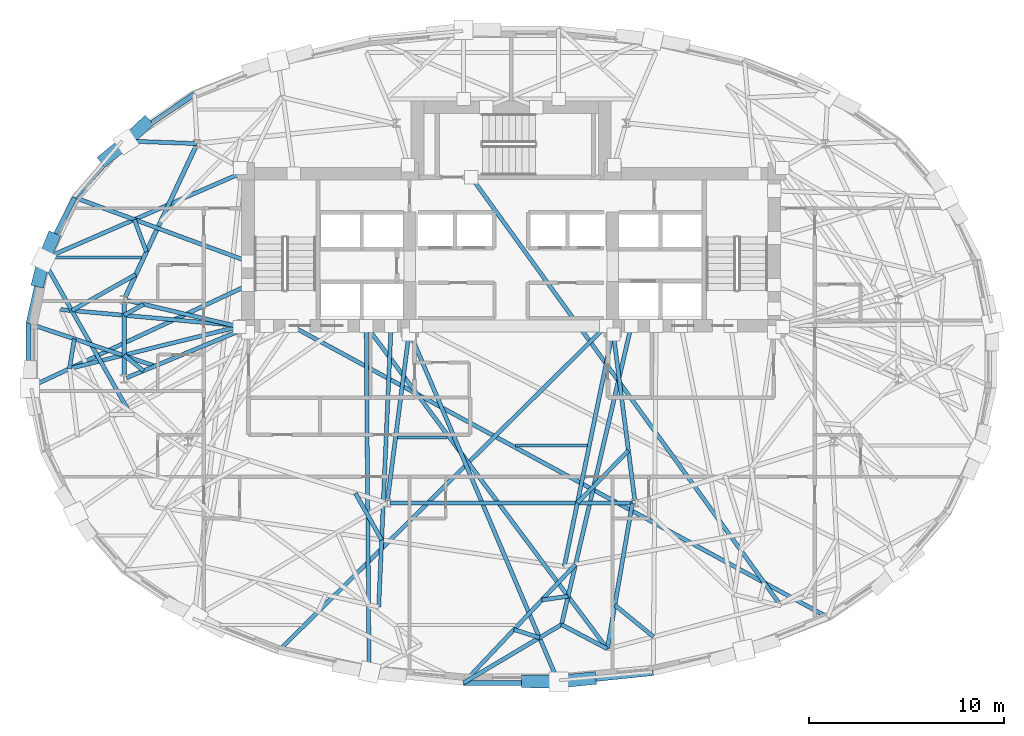
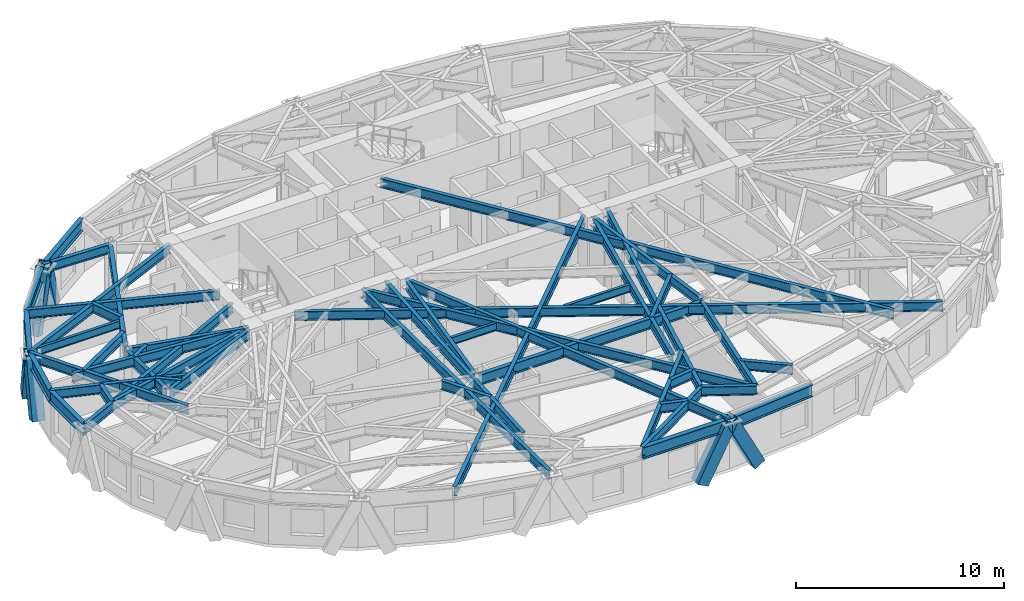
# One storey, part 2 of 14: 48 beams, 6 members.
"""IFC4 building model written with IfcOpenShell, lengths in metres."""

from ifc_helpers import new_model, si_unit, direction, frame, origin, origin_2d, place, context, subcontext, project, spatial, hollow_rectangle, i_section, extrude, material, material_profile, profile_set, type_object, element, save


model = new_model("IFC4")

# Units and contexts
model_context = context("Model", 3, precision=1e-05, world=origin(), true_north=direction((0.0, 1.0)))
body_context = subcontext(model_context, "Body", "Model", "MODEL_VIEW")
ifc_project = project(units=[si_unit("LENGTHUNIT", "METRE"), si_unit("AREAUNIT", "SQUARE_METRE"), si_unit("VOLUMEUNIT", "CUBIC_METRE"), si_unit("PLANEANGLEUNIT", "RADIAN"), si_unit("MASSUNIT", "GRAM", prefix="KILO")], contexts=[model_context])

# Site, building, storey
site_placement = place(None, origin())
site = spatial("IfcSite", under=ifc_project, at=site_placement, CompositionType="ELEMENT")
building_placement = place(site_placement, origin())
building = spatial("IfcBuilding", under=site, at=building_placement, Name="Keldmark Tower", CompositionType="ELEMENT")
storey_placement = place(building_placement, frame((0.0, 0.0, 153.39990234375)))
storey = spatial("IfcBuildingStorey", under=building, at=storey_placement, Name="L41", CompositionType="ELEMENT", Elevation=153.39990234375)

# Beams
ifc_material_1 = material(Name="Steel ASTM A992 Grade 50", Category="steel")
ifc_material_profile_1 = material_profile(ifc_material_1, i_section(OverallWidth=0.153076171875, OverallDepth=0.455078125, WebThickness=0.008056640625, FlangeThickness=0.01318359375, at=origin_2d()), Name="W18X40")
ifc_profile_set_1 = profile_set([ifc_material_profile_1], Name="Steel ASTM A992 Grade 50")
beam_type_1 = type_object("IfcBeamType", Name="Composite Floor Joist W18X40", PredefinedType="JOIST", material=ifc_profile_set_1)
beam_1_placement = place(storey_placement, frame((-5.8212890625, -4.179931640625, 2.79248046875), z_axis=(1.0, 0.0, 0.0), x_axis=(0.0, 1.0, 0.0)))
element("IfcBeam", 1, at=beam_1_placement, inside=storey, type_object=beam_type_1, Name="L41 Composite Floor Joist J04", PredefinedType="JOIST", context=body_context, shape_type="SweptSolid", body=[
    extrude(i_section(OverallWidth=0.153076171875, OverallDepth=0.455078125, WebThickness=0.008056640625, FlangeThickness=0.01318359375, at=origin_2d()), origin(), (0.0, 0.0, 1.0), 2.53515625),
])
beam_2_placement = place(storey_placement, frame((0.231689453125, -4.60009765625, 2.79248046875), z_axis=(1.0, 0.0, 0.0), x_axis=(0.0, 1.0, 0.0)))
element("IfcBeam", 2, at=beam_2_placement, inside=storey, type_object=beam_type_1, Name="L41 Composite Floor Joist J05", PredefinedType="JOIST", context=body_context, shape_type="SweptSolid", body=[
    extrude(i_section(OverallWidth=0.153076171875, OverallDepth=0.455078125, WebThickness=0.008056640625, FlangeThickness=0.01318359375, at=origin_2d()), origin(), (0.0, 0.0, 1.0), 3.671630859375),
])
beam_3_placement = place(storey_placement, frame((-23.487548828125, 5.0400390625, 2.79248046875), z_axis=(1.0, 0.0, 0.0), x_axis=(0.0, 1.0, 0.0)))
element("IfcBeam", 3, at=beam_3_placement, inside=storey, type_object=beam_type_1, Name="L41 Composite Floor Joist J07", PredefinedType="JOIST", context=body_context, shape_type="SweptSolid", body=[
    extrude(i_section(OverallWidth=0.153076171875, OverallDepth=0.455078125, WebThickness=0.008056640625, FlangeThickness=0.01318359375, at=origin_2d()), origin(), (0.0, 0.0, 1.0), 4.559814453125),
])

# Members
ifc_material_2 = material(Name="Steel ASTM A572 Grade 50", Category="steel")
ifc_material_profile_2 = material_profile(ifc_material_2, hollow_rectangle(XDim=0.64990234375, YDim=0.64990234375, WallThickness=0.0400390625, at=origin_2d()), Name="BOX650X650X40")
ifc_profile_set_2 = profile_set([ifc_material_profile_2], Name="Steel ASTM A572 Grade 50")
member_type = type_object("IfcMemberType", Name="Diagrid Zone 3 Brace BOX650X650X40", PredefinedType="BRACE", material=ifc_profile_set_2)
member_1_placement = place(storey_placement, frame((-18.742919921875, 11.875, -0.260009765625), z_axis=(-0.286746084884, -0.269201798789, 0.919405826788), x_axis=(0.684451580802, -0.729058319709, 0.0)))
element("IfcMember", 4, at=member_1_placement, inside=storey, type_object=member_type, Name="L41 Perimeter Diagrid Brace 06B", PredefinedType="BRACE", context=body_context, shape_type="SweptSolid", body=[
    extrude(hollow_rectangle(XDim=0.64990234375, YDim=0.64990234375, WallThickness=0.0400390625, at=origin_2d()), origin(), (0.0, 0.0, 1.0), 3.437255859375),
])
member_2_placement = place(storey_placement, frame((-20.77490234375, 10.089111328125, -0.260009765625), z_axis=(0.306332122506, 0.25236945, 0.917861804101), x_axis=(-0.635851274984, 0.771811606612, 0.0)))
element("IfcMember", 5, at=member_2_placement, inside=storey, type_object=member_type, Name="L41 Perimeter Diagrid Brace 07A", PredefinedType="BRACE", context=body_context, shape_type="SweptSolid", body=[
    extrude(hollow_rectangle(XDim=0.64990234375, YDim=0.64990234375, WallThickness=0.0400390625, at=origin_2d()), origin(), (0.0, 0.0, 1.0), 3.44287109375),
])
member_3_placement = place(storey_placement, frame((-23.48388671875, 5.9873046875, -0.260009765625), z_axis=(-0.132766233641, -0.321521719111, 0.93754835147), x_axis=(0.924298157408, -0.381671214807, 0.0)))
element("IfcMember", 6, at=member_3_placement, inside=storey, type_object=member_type, Name="L41 Perimeter Diagrid Brace 07B", PredefinedType="BRACE", context=body_context, shape_type="SweptSolid", body=[
    extrude(hollow_rectangle(XDim=0.64990234375, YDim=0.64990234375, WallThickness=0.0400390625, at=origin_2d()), origin(), (0.0, 0.0, 1.0), 3.37060546875),
])
member_4_placement = place(storey_placement, frame((-24.20751953125, 3.828857421875, -0.260009765625), z_axis=(0.08365843778, 0.323712284049, 0.942449798633), x_axis=(-0.968190583695, 0.250213895786, 0.0)))
element("IfcMember", 7, at=member_4_placement, inside=storey, type_object=member_type, Name="L41 Perimeter Diagrid Brace 08A", PredefinedType="BRACE", context=body_context, shape_type="SweptSolid", body=[
    extrude(hollow_rectangle(XDim=0.64990234375, YDim=0.64990234375, WallThickness=0.0400390625, at=origin_2d()), origin(), (0.0, 0.0, 1.0), 3.35302734375),
])
member_5_placement = place(storey_placement, frame((0.81689453125, -16.68212890625, -0.260009765625), z_axis=(0.457022303515, -0.004329033998, 0.889444699548), x_axis=(0.009471834896, 0.999955141166, 0.0)))
element("IfcMember", 8, at=member_5_placement, inside=storey, type_object=member_type, Name="L41 Perimeter Diagrid Brace 12B", PredefinedType="BRACE", context=body_context, shape_type="SweptSolid", body=[
    extrude(hollow_rectangle(XDim=0.64990234375, YDim=0.64990234375, WallThickness=0.0400390625, at=origin_2d()), origin(), (0.0, 0.0, 1.0), 3.552978515625),
])
member_6_placement = place(storey_placement, frame((4.047607421875, -16.53515625, -0.260009765625), z_axis=(-0.455407992889, -0.045678177266, 0.889110265453), x_axis=(0.099800895841, -0.995007427706, 0.0)))
element("IfcMember", 9, at=member_6_placement, inside=storey, type_object=member_type, Name="L41 Perimeter Diagrid Brace 13A", PredefinedType="BRACE", context=body_context, shape_type="SweptSolid", body=[
    extrude(hollow_rectangle(XDim=0.64990234375, YDim=0.64990234375, WallThickness=0.0400390625, at=origin_2d()), origin(), (0.0, 0.0, 1.0), 3.55419921875),
])

# Beams
ifc_material_3 = material(Name="Steel ASTM A992 Grade 50", Category="steel")
ifc_material_profile_3 = material_profile(ifc_material_3, i_section(OverallWidth=0.22900390625, OverallDepth=0.612060546875, WebThickness=0.011962890625, FlangeThickness=0.01953125, at=origin_2d()), Name="W24X84")
ifc_profile_set_3 = profile_set([ifc_material_profile_3], Name="Steel ASTM A992 Grade 50")
beam_type_2 = type_object("IfcBeamType", Name="Primary Floor Girder W24X84", PredefinedType="BEAM", material=ifc_profile_set_3)
beam_4_placement = place(storey_placement, frame((-16.140869140625, 10.734130859375, 2.714111328125), z_axis=(-0.424526823774, -0.905415360979, 0.0), x_axis=(0.905415360979, -0.424526823774, 0.0)))
element("IfcBeam", 10, at=beam_4_placement, inside=storey, type_object=beam_type_2, Name="L41 Floor Ring Girder FG-R05", PredefinedType="BEAM", context=body_context, shape_type="SweptSolid", body=[
    extrude(i_section(OverallWidth=0.22900390625, OverallDepth=0.612060546875, WebThickness=0.011962890625, FlangeThickness=0.01953125, at=origin_2d()), origin(), (0.0, 0.0, 1.0), 8.54638671875),
])
beam_5_placement = place(storey_placement, frame((-19.828369140625, 2.729248046875, 2.714111328125), z_axis=(0.0, -1.0, 0.0), x_axis=(1.0, 0.0, 0.0)))
element("IfcBeam", 11, at=beam_5_placement, inside=storey, type_object=beam_type_2, Name="L41 Floor Ring Girder FG-R06", PredefinedType="BEAM", context=body_context, shape_type="SweptSolid", body=[
    extrude(i_section(OverallWidth=0.22900390625, OverallDepth=0.612060546875, WebThickness=0.011962890625, FlangeThickness=0.01953125, at=origin_2d()), origin(), (0.0, 0.0, 1.0), 3.778564453125),
])
beam_6_placement = place(storey_placement, frame((-6.211181640625, -7.546142578125, 2.714111328125), z_axis=(1.0, 0.0, 0.0), x_axis=(0.0, 1.0, 0.0)))
element("IfcBeam", 12, at=beam_6_placement, inside=storey, type_object=beam_type_2, Name="L41 Floor Ring Girder FG-R09", PredefinedType="BEAM", context=body_context, shape_type="SweptSolid", body=[
    extrude(i_section(OverallWidth=0.22900390625, OverallDepth=0.612060546875, WebThickness=0.011962890625, FlangeThickness=0.01953125, at=origin_2d()), origin(), (0.0, 0.0, 1.0), 12.42236328125),
])
ifc_material_4 = material(Name="Steel ASTM A992 Grade 50", Category="steel")
ifc_material_profile_4 = material_profile(ifc_material_4, i_section(OverallWidth=0.2099609375, OverallDepth=0.537109375, WebThickness=0.010986328125, FlangeThickness=0.017333984375, at=origin_2d()), Name="W21X68")
ifc_profile_set_4 = profile_set([ifc_material_profile_4], Name="Steel ASTM A992 Grade 50")
beam_type_3 = type_object("IfcBeamType", Name="Radial Tie Girder W21X68", PredefinedType="BEAM", material=ifc_profile_set_4)
beam_7_placement = place(storey_placement, frame((-19.692138671875, 2.837158203125, 2.751708984375), z_axis=(0.973280062348, -0.229621253887, 0.0), x_axis=(0.229621253887, 0.973280062348, 0.0)))
element("IfcBeam", 13, at=beam_7_placement, inside=storey, type_object=beam_type_3, Name="L41 Floor Radial Girder FG-C06", PredefinedType="BEAM", context=body_context, shape_type="SweptSolid", body=[
    extrude(i_section(OverallWidth=0.2099609375, OverallDepth=0.537109375, WebThickness=0.010986328125, FlangeThickness=0.017333984375, at=origin_2d()), origin(), (0.0, 0.0, 1.0), 5.939208984375),
])
beam_8_placement = place(storey_placement, frame((-19.69921875, -1.135498046875, 2.751708984375), z_axis=(0.923393794893, 0.383854008124, 0.0), x_axis=(-0.383854008124, 0.923393794893, 0.0)))
element("IfcBeam", 14, at=beam_8_placement, inside=storey, type_object=beam_type_3, Name="L41 Floor Radial Girder FG-C07", PredefinedType="BEAM", context=body_context, shape_type="SweptSolid", body=[
    extrude(i_section(OverallWidth=0.2099609375, OverallDepth=0.537109375, WebThickness=0.010986328125, FlangeThickness=0.017333984375, at=origin_2d()), origin(), (0.0, 0.0, 1.0), 6.28515625),
])
for number, where, z_axis, x_axis, name in (
    (15, (-6.333251953125, -7.4072265625, 2.751708984375), (0.127635577416, 0.991821132754, 0.0), (-0.991821132754, 0.127635577416, 0.0), "L41 Floor Radial Girder FG-C09"),
    (16, (6.333251953125, -7.4072265625, 2.751708984375), (-0.127635577416, 0.991821132754, 0.0), (-0.991821132754, -0.127635577416, 0.0), "L41 Floor Radial Girder FG-C10"),
):
    element("IfcBeam", number, at=place(storey_placement, frame(where, z_axis=z_axis, x_axis=x_axis)), inside=storey, type_object=beam_type_3, Name=name, PredefinedType="BEAM", context=body_context, shape_type="SweptSolid", body=[
        extrude(i_section(OverallWidth=0.2099609375, OverallDepth=0.537109375, WebThickness=0.010986328125, FlangeThickness=0.017333984375, at=origin_2d()), origin(), (0.0, 0.0, 1.0), 8.559814453125),
    ])
beam_9_placement = place(storey_placement, frame((-18.82861328125, -0.773681640625, 2.751708984375), z_axis=(-0.779009418929, 0.62701222095, 0.0), x_axis=(-0.62701222095, -0.779009418929, 0.0)))
element("IfcBeam", 17, at=beam_9_placement, inside=storey, type_object=beam_type_3, Name="L41 Framing Pin Header PH-001", PredefinedType="BEAM", context=body_context, shape_type="SweptSolid", body=[
    extrude(i_section(OverallWidth=0.2099609375, OverallDepth=0.537109375, WebThickness=0.010986328125, FlangeThickness=0.017333984375, at=origin_2d()), origin(), (0.0, 0.0, 1.0), 1.283447265625),
])
beam_10_placement = place(storey_placement, frame((-13.800048828125, 1.52490234375, 2.751708984375), z_axis=(-0.970631966054, -0.240569296615, 0.0), x_axis=(0.240569296615, -0.970631966054, 0.0)))
element("IfcBeam", 18, at=beam_10_placement, inside=storey, type_object=beam_type_3, Name="L41 Sub-Ring Step Girder STP1-M07", PredefinedType="BEAM", context=body_context, shape_type="SweptSolid", body=[
    extrude(i_section(OverallWidth=0.2099609375, OverallDepth=0.537109375, WebThickness=0.010986328125, FlangeThickness=0.017333984375, at=origin_2d()), origin(), (0.0, 0.0, 1.0), 9.087890625),
])
beam_11_placement = place(storey_placement, frame((-18.824951171875, 2.632568359375, 2.751708984375), z_axis=(-0.871926584484, -0.489636631871, 0.0), x_axis=(0.489636631871, -0.871926584484, 0.0)))
element("IfcBeam", 19, at=beam_11_placement, inside=storey, type_object=beam_type_3, Name="L41 Framing Pin Header PH-005", PredefinedType="BEAM", context=body_context, shape_type="SweptSolid", body=[
    extrude(i_section(OverallWidth=0.2099609375, OverallDepth=0.537109375, WebThickness=0.010986328125, FlangeThickness=0.017333984375, at=origin_2d()), origin(), (0.0, 0.0, 1.0), 1.15087890625),
])
beam_12_placement = place(storey_placement, frame((-13.800048828125, 1.52490234375, 2.751708984375), z_axis=(-0.995951446518, 0.089892803825, 0.0), x_axis=(-0.089892803825, -0.995951446518, 0.0)))
element("IfcBeam", 20, at=beam_12_placement, inside=storey, type_object=beam_type_3, Name="L41 Sub-Ring Step Girder STP2-M07", PredefinedType="BEAM", context=body_context, shape_type="SweptSolid", body=[
    extrude(i_section(OverallWidth=0.2099609375, OverallDepth=0.537109375, WebThickness=0.010986328125, FlangeThickness=0.017333984375, at=origin_2d()), origin(), (0.0, 0.0, 1.0), 9.312744140625),
])
beam_13_placement = place(storey_placement, frame((6.005615234375, -4.8603515625, 2.751708984375), z_axis=(-0.697298872217, -0.716780498343, 0.0), x_axis=(0.716780498343, -0.697298872217, 0.0)))
element("IfcBeam", 21, at=beam_13_placement, inside=storey, type_object=beam_type_3, Name="L41 Framing Pin Header PH-007", PredefinedType="BEAM", context=body_context, shape_type="SweptSolid", body=[
    extrude(i_section(OverallWidth=0.2099609375, OverallDepth=0.537109375, WebThickness=0.010986328125, FlangeThickness=0.017333984375, at=origin_2d()), origin(), (0.0, 0.0, 1.0), 3.7470703125),
])
beam_14_placement = place(storey_placement, frame((5.199951171875, 1.199951171875, 2.751708984375), z_axis=(-0.202355816721, -0.979312066422, 0.0), x_axis=(0.979312066422, -0.202355816721, 0.0)))
element("IfcBeam", 22, at=beam_14_placement, inside=storey, type_object=beam_type_3, Name="L41 Sub-Ring Step Girder STP2-M10", PredefinedType="BEAM", context=body_context, shape_type="SweptSolid", body=[
    extrude(i_section(OverallWidth=0.2099609375, OverallDepth=0.537109375, WebThickness=0.010986328125, FlangeThickness=0.017333984375, at=origin_2d()), origin(), (0.0, 0.0, 1.0), 12.24951171875),
])
beam_15_placement = place(storey_placement, frame((-16.08154296875, 10.861083984375, 2.751708984375), z_axis=(-0.999329537276, 0.036612510542, 0.0), x_axis=(-0.036612510542, -0.999329537276, 0.0)))
element("IfcBeam", 23, at=beam_15_placement, inside=storey, type_object=beam_type_3, Name="L41 Perimeter Column Bracket RT-13", PredefinedType="BEAM", context=body_context, shape_type="SweptSolid", body=[
    extrude(i_section(OverallWidth=0.2099609375, OverallDepth=0.537109375, WebThickness=0.010986328125, FlangeThickness=0.017333984375, at=origin_2d()), origin(), (0.0, 0.0, 1.0), 3.6875),
])
beam_16_placement = place(storey_placement, frame((-19.224853515625, 4.15673828125, 2.751708984375), z_axis=(-0.871195622183, -0.49093603238, 0.0), x_axis=(0.49093603238, -0.871195622183, 0.0)))
element("IfcBeam", 24, at=beam_16_placement, inside=storey, type_object=beam_type_3, Name="L41 Framing Pin Header PH-015", PredefinedType="BEAM", context=body_context, shape_type="SweptSolid", body=[
    extrude(i_section(OverallWidth=0.2099609375, OverallDepth=0.537109375, WebThickness=0.010986328125, FlangeThickness=0.017333984375, at=origin_2d()), origin(), (0.0, 0.0, 1.0), 3.760986328125),
])
beam_17_placement = place(storey_placement, frame((-19.612060546875, -2.79736328125, 2.751708984375), z_axis=(-0.492365237686, 0.870388690597, 0.0), x_axis=(-0.870388690597, -0.492365237686, 0.0)))
element("IfcBeam", 25, at=beam_17_placement, inside=storey, type_object=beam_type_3, Name="L41 Perimeter Radial Tie Girder RT-15", PredefinedType="BEAM", context=body_context, shape_type="SweptSolid", body=[
    extrude(i_section(OverallWidth=0.2099609375, OverallDepth=0.537109375, WebThickness=0.010986328125, FlangeThickness=0.017333984375, at=origin_2d()), origin(), (0.0, 0.0, 1.0), 8.880126953125),
])
beam_18_placement = place(storey_placement, frame((-22.62109375, -0.661376953125, 2.751708984375), z_axis=(0.159900049578, 0.987133209929, 0.0), x_axis=(-0.987133209929, 0.159900049578, 0.0)))
element("IfcBeam", 26, at=beam_18_placement, inside=storey, type_object=beam_type_3, Name="L41 Framing Pin Header PH-016", PredefinedType="BEAM", context=body_context, shape_type="SweptSolid", body=[
    extrude(i_section(OverallWidth=0.2099609375, OverallDepth=0.537109375, WebThickness=0.010986328125, FlangeThickness=0.017333984375, at=origin_2d()), origin(), (0.0, 0.0, 1.0), 1.54052734375),
])
beam_19_placement = place(storey_placement, frame((-18.248291015625, -0.5322265625, 2.751708984375), z_axis=(-0.947580362775, 0.319517536424, 0.0), x_axis=(-0.319517536424, -0.947580362775, 0.0)))
element("IfcBeam", 27, at=beam_19_placement, inside=storey, type_object=beam_type_3, Name="L41 Perimeter Radial Tie Girder RT-16", PredefinedType="BEAM", context=body_context, shape_type="SweptSolid", body=[
    extrude(i_section(OverallWidth=0.2099609375, OverallDepth=0.537109375, WebThickness=0.010986328125, FlangeThickness=0.017333984375, at=origin_2d()), origin(), (0.0, 0.0, 1.0), 6.8310546875),
])
beam_20_placement = place(storey_placement, frame((-13.47509765625, 3.6142578125, 2.751708984375), z_axis=(-0.905674164018, -0.423974419783, 0.0), x_axis=(0.423974419783, -0.905674164018, 0.0)))
element("IfcBeam", 28, at=beam_20_placement, inside=storey, type_object=beam_type_3, Name="L41 Perimeter Radial Tie Girder RT-17", PredefinedType="BEAM", context=body_context, shape_type="SweptSolid", body=[
    extrude(i_section(OverallWidth=0.2099609375, OverallDepth=0.537109375, WebThickness=0.010986328125, FlangeThickness=0.017333984375, at=origin_2d()), origin(), (0.0, 0.0, 1.0), 12.41748046875),
])
beam_21_placement = place(storey_placement, frame((-7.97412109375, -7.045166015625, 2.751708984375), z_axis=(0.48915353486, -0.872197695098, 0.0), x_axis=(0.872197695098, 0.48915353486, 0.0)))
element("IfcBeam", 29, at=beam_21_placement, inside=storey, type_object=beam_type_3, Name="L41 Framing Pin Header PH-022", PredefinedType="BEAM", context=body_context, shape_type="SweptSolid", body=[
    extrude(i_section(OverallWidth=0.2099609375, OverallDepth=0.537109375, WebThickness=0.010986328125, FlangeThickness=0.017333984375, at=origin_2d()), origin(), (0.0, 0.0, 1.0), 2.74267578125),
])
beam_22_placement = place(storey_placement, frame((-6.14990234375, 1.52490234375, 2.751708984375), z_axis=(-0.043979044783, -0.999032453737, 0.0), x_axis=(0.999032453737, -0.043979044783, 0.0)))
element("IfcBeam", 30, at=beam_22_placement, inside=storey, type_object=beam_type_3, Name="L41 Intermediate Radial Step Girder RT-23M", PredefinedType="BEAM", context=body_context, shape_type="SweptSolid", body=[
    extrude(i_section(OverallWidth=0.2099609375, OverallDepth=0.537109375, WebThickness=0.010986328125, FlangeThickness=0.017333984375, at=origin_2d()), origin(), (0.0, 0.0, 1.0), 14.4111328125),
])
beam_23_placement = place(storey_placement, frame((-7.425048828125, 1.52490234375, 2.751708984375), z_axis=(0.008401911069, -0.999964703322, 0.0), x_axis=(0.999964703322, 0.008401911069, 0.0)))
element("IfcBeam", 31, at=beam_23_placement, inside=storey, type_object=beam_type_3, Name="L41 Perimeter Radial Tie Girder RT-23", PredefinedType="BEAM", context=body_context, shape_type="SweptSolid", body=[
    extrude(i_section(OverallWidth=0.2099609375, OverallDepth=0.537109375, WebThickness=0.010986328125, FlangeThickness=0.017333984375, at=origin_2d()), origin(), (0.0, 0.0, 1.0), 17.783447265625),
])
beam_24_placement = place(storey_placement, frame((-2.434814453125, -16.75732421875, 2.751708984375), z_axis=(0.686862262165, 0.726787611901, 0.0), x_axis=(-0.726787611901, 0.686862262165, 0.0)))
element("IfcBeam", 32, at=beam_24_placement, inside=storey, type_object=beam_type_3, Name="L41 Framing Pin Header PH-025", PredefinedType="BEAM", context=body_context, shape_type="SweptSolid", body=[
    extrude(i_section(OverallWidth=0.2099609375, OverallDepth=0.537109375, WebThickness=0.010986328125, FlangeThickness=0.017333984375, at=origin_2d()), origin(), (0.0, 0.0, 1.0), 8.346923828125),
])
beam_25_placement = place(storey_placement, frame((6.14990234375, 1.52490234375, 2.751708984375), z_axis=(-0.227315571068, -0.973821149467, 0.0), x_axis=(0.973821149467, -0.227315571068, 0.0)))
element("IfcBeam", 33, at=beam_25_placement, inside=storey, type_object=beam_type_3, Name="L41 Intermediate Radial Step Girder RT-25M", PredefinedType="BEAM", context=body_context, shape_type="SweptSolid", body=[
    extrude(i_section(OverallWidth=0.2099609375, OverallDepth=0.537109375, WebThickness=0.010986328125, FlangeThickness=0.017333984375, at=origin_2d()), origin(), (0.0, 0.0, 1.0), 15.712890625),
])
beam_26_placement = place(storey_placement, frame((-2.434814453125, -16.75732421875, 2.751708984375), z_axis=(0.859532408995, 0.51108124392, 0.0), x_axis=(-0.51108124392, 0.859532408995, 0.0)))
element("IfcBeam", 34, at=beam_26_placement, inside=storey, type_object=beam_type_3, Name="L41 Local Collector Chord RT-25C", PredefinedType="BEAM", context=body_context, shape_type="SweptSolid", body=[
    extrude(i_section(OverallWidth=0.2099609375, OverallDepth=0.537109375, WebThickness=0.010986328125, FlangeThickness=0.017333984375, at=origin_2d()), origin(), (0.0, 0.0, 1.0), 5.832275390625),
])
beam_27_placement = place(storey_placement, frame((0.14501953125, -14.027587890625, 2.751708984375), z_axis=(0.952335299043, -0.3050532383, 0.0), x_axis=(0.3050532383, 0.952335299043, 0.0)))
element("IfcBeam", 35, at=beam_27_placement, inside=storey, type_object=beam_type_3, Name="L41 Framing Pin Header PH-026", PredefinedType="BEAM", context=body_context, shape_type="SweptSolid", body=[
    extrude(i_section(OverallWidth=0.2099609375, OverallDepth=0.537109375, WebThickness=0.010986328125, FlangeThickness=0.017333984375, at=origin_2d()), origin(), (0.0, 0.0, 1.0), 1.37255859375),
])
beam_28_placement = place(storey_placement, frame((-5.199951171875, 1.199951171875, 2.751708984375), z_axis=(0.391267542497, -0.920276974714, 0.0), x_axis=(0.920276974714, 0.391267542497, 0.0)))
element("IfcBeam", 36, at=beam_28_placement, inside=storey, type_object=beam_type_3, Name="L41 Perimeter Radial Tie Girder RT-25", PredefinedType="BEAM", context=body_context, shape_type="SweptSolid", body=[
    extrude(i_section(OverallWidth=0.2099609375, OverallDepth=0.537109375, WebThickness=0.010986328125, FlangeThickness=0.017333984375, at=origin_2d()), origin(), (0.0, 0.0, 1.0), 19.512939453125),
])
beam_29_placement = place(storey_placement, frame((1.578369140625, -12.510986328125, 2.751708984375), z_axis=(0.990529844075, 0.137297589184, 0.0), x_axis=(-0.137297589184, 0.990529844075, 0.0)))
element("IfcBeam", 37, at=beam_29_placement, inside=storey, type_object=beam_type_3, Name="L41 Framing Pin Header PH-027", PredefinedType="BEAM", context=body_context, shape_type="SweptSolid", body=[
    extrude(i_section(OverallWidth=0.2099609375, OverallDepth=0.537109375, WebThickness=0.010986328125, FlangeThickness=0.017333984375, at=origin_2d()), origin(), (0.0, 0.0, 1.0), 1.351318359375),
])
beam_30_placement = place(storey_placement, frame((-7.425048828125, 1.52490234375, 2.751708984375), z_axis=(0.598297635029, -0.801273948109, 0.0), x_axis=(0.801273948109, 0.598297635029, 0.0)))
element("IfcBeam", 38, at=beam_30_placement, inside=storey, type_object=beam_type_3, Name="L41 Intermediate Radial Step Girder RT-26M", PredefinedType="BEAM", context=body_context, shape_type="SweptSolid", body=[
    extrude(i_section(OverallWidth=0.2099609375, OverallDepth=0.537109375, WebThickness=0.010986328125, FlangeThickness=0.017333984375, at=origin_2d()), origin(), (0.0, 0.0, 1.0), 20.64501953125),
])
beam_31_placement = place(storey_placement, frame((2.578125, -13.776611328125, 2.751708984375), z_axis=(0.884203411677, -0.467102051782, 0.0), x_axis=(0.467102051782, 0.884203411677, 0.0)))
element("IfcBeam", 39, at=beam_31_placement, inside=storey, type_object=beam_type_3, Name="L41 Local Collector Chord RT-26C", PredefinedType="BEAM", context=body_context, shape_type="SweptSolid", body=[
    extrude(i_section(OverallWidth=0.2099609375, OverallDepth=0.537109375, WebThickness=0.010986328125, FlangeThickness=0.017333984375, at=origin_2d()), origin(), (0.0, 0.0, 1.0), 2.65625),
])
beam_32_placement = place(storey_placement, frame((-2.04296875, 9.139892578125, 2.751708984375), z_axis=(0.585638637201, -0.810572258727, 0.0), x_axis=(0.810572258727, 0.585638637201, 0.0)))
element("IfcBeam", 40, at=beam_32_placement, inside=storey, type_object=beam_type_3, Name="L41 Intermediate Radial Step Girder RT-28M", PredefinedType="BEAM", context=body_context, shape_type="SweptSolid", body=[
    extrude(i_section(OverallWidth=0.2099609375, OverallDepth=0.537109375, WebThickness=0.010986328125, FlangeThickness=0.017333984375, at=origin_2d()), origin(), (0.0, 0.0, 1.0), 27.0859375),
])
beam_33_placement = place(storey_placement, frame((-11.25, 1.52490234375, 2.751708984375), z_axis=(0.878714378584, -0.477347924338, 0.0), x_axis=(0.477347924338, 0.878714378584, 0.0)))
element("IfcBeam", 41, at=beam_33_placement, inside=storey, type_object=beam_type_3, Name="L41 Perimeter Radial Tie Girder RT-28", PredefinedType="BEAM", context=body_context, shape_type="SweptSolid", body=[
    extrude(i_section(OverallWidth=0.2099609375, OverallDepth=0.537109375, WebThickness=0.010986328125, FlangeThickness=0.017333984375, at=origin_2d()), origin(), (0.0, 0.0, 1.0), 31.26416015625),
])
beam_34_placement = place(storey_placement, frame((-13.60009765625, 9.449951171875, 2.751708984375), z_axis=(-0.916967889066, -0.398961013661, 0.0), x_axis=(0.398961013661, -0.916967889066, 0.0)))
element("IfcBeam", 42, at=beam_34_placement, inside=storey, type_object=beam_type_3, Name="L41 Straddling Support Chord RT-14RB", PredefinedType="BEAM", context=body_context, shape_type="SweptSolid", body=[
    extrude(i_section(OverallWidth=0.2099609375, OverallDepth=0.537109375, WebThickness=0.010986328125, FlangeThickness=0.017333984375, at=origin_2d()), origin(), (0.0, 0.0, 1.0), 11.324462890625),
])
beam_35_placement = place(storey_placement, frame((-18.6806640625, 5.3173828125, 2.751708984375), z_axis=(-0.3495615226, 0.936913412177, 0.0), x_axis=(-0.936913412177, -0.3495615226, 0.0)))
element("IfcBeam", 43, at=beam_35_placement, inside=storey, type_object=beam_type_3, Name="L41 Framing Pin Header PH-037", PredefinedType="BEAM", context=body_context, shape_type="SweptSolid", body=[
    extrude(i_section(OverallWidth=0.2099609375, OverallDepth=0.537109375, WebThickness=0.010986328125, FlangeThickness=0.017333984375, at=origin_2d()), origin(), (0.0, 0.0, 1.0), 1.764892578125),
])
beam_36_placement = place(storey_placement, frame((-13.47509765625, 4.8212890625, 2.751708984375), z_axis=(-0.938110398216, 0.346336369384, 0.0), x_axis=(-0.346336369384, -0.938110398216, 0.0)))
element("IfcBeam", 44, at=beam_36_placement, inside=storey, type_object=beam_type_3, Name="L41 Perimeter Radial Tie Girder RT-14R", PredefinedType="BEAM", context=body_context, shape_type="SweptSolid", body=[
    extrude(i_section(OverallWidth=0.2099609375, OverallDepth=0.537109375, WebThickness=0.010986328125, FlangeThickness=0.017333984375, at=origin_2d()), origin(), (0.0, 0.0, 1.0), 9.4658203125),
])
beam_37_placement = place(storey_placement, frame((4.875, 1.52490234375, 2.751708984375), z_axis=(-0.710171189462, -0.70402903467, 0.0), x_axis=(0.70402903467, -0.710171189462, 0.0)))
element("IfcBeam", 45, at=beam_37_placement, inside=storey, type_object=beam_type_3, Name="L41 Perimeter Radial Tie Girder RT-22R", PredefinedType="BEAM", context=body_context, shape_type="SweptSolid", body=[
    extrude(i_section(OverallWidth=0.2099609375, OverallDepth=0.537109375, WebThickness=0.010986328125, FlangeThickness=0.017333984375, at=origin_2d()), origin(), (0.0, 0.0, 1.0), 23.68994140625),
])
beam_38_placement = place(storey_placement, frame((4.9267578125, -15.017333984375, 2.751708984375), z_axis=(0.169431294337, 0.985542001388, 0.0), x_axis=(-0.985542001388, 0.169431294337, 0.0)))
element("IfcBeam", 46, at=beam_38_placement, inside=storey, type_object=beam_type_3, Name="L41 Straddling Support Chord RT-26RB", PredefinedType="BEAM", context=body_context, shape_type="SweptSolid", body=[
    extrude(i_section(OverallWidth=0.2099609375, OverallDepth=0.537109375, WebThickness=0.010986328125, FlangeThickness=0.017333984375, at=origin_2d()), origin(), (0.0, 0.0, 1.0), 7.580810546875),
])
beam_39_placement = place(storey_placement, frame((5.31201171875, -12.77587890625, 2.751708984375), z_axis=(0.773583035809, -0.633694947675, 0.0), x_axis=(0.633694947675, 0.773583035809, 0.0)))
element("IfcBeam", 47, at=beam_39_placement, inside=storey, type_object=beam_type_3, Name="L41 Framing Pin Header PH-039", PredefinedType="BEAM", context=body_context, shape_type="SweptSolid", body=[
    extrude(i_section(OverallWidth=0.2099609375, OverallDepth=0.537109375, WebThickness=0.010986328125, FlangeThickness=0.017333984375, at=origin_2d()), origin(), (0.0, 0.0, 1.0), 2.55859375),
])
ifc_material_5 = material(Name="Steel ASTM A992 Grade 50", Category="steel")
ifc_material_profile_5 = material_profile(ifc_material_5, i_section(OverallWidth=0.256103515625, OverallDepth=0.693115234375, WebThickness=0.014404296875, FlangeThickness=0.023681640625, at=origin_2d()), Name="W27X114")
ifc_profile_set_5 = profile_set([ifc_material_profile_5], Name="Steel ASTM A992 Grade 50")
beam_type_4 = type_object("IfcBeamType", Name="Spandrel Ring Beam W27X114", PredefinedType="SPANDREL", material=ifc_profile_set_5)
beam_40_placement = place(storey_placement, frame((-16.22216796875, 13.39892578125, 2.673583984375), z_axis=(-0.827727349007, -0.561130497929, 0.0), x_axis=(0.561130497929, -0.827727349007, 0.0)))
element("IfcBeam", 48, at=beam_40_placement, inside=storey, type_object=beam_type_4, Name="L41 Perimeter Spandrel Ring Beam SRB-12", PredefinedType="SPANDREL", context=body_context, shape_type="SweptSolid", body=[
    extrude(i_section(OverallWidth=0.256103515625, OverallDepth=0.693115234375, WebThickness=0.014404296875, FlangeThickness=0.023681640625, at=origin_2d()), origin(), (0.0, 0.0, 1.0), 4.2822265625),
])
beam_41_placement = place(storey_placement, frame((-19.7666015625, 10.99609375, 2.673583984375), z_axis=(-0.666335444554, -0.745652114147, 0.0), x_axis=(0.745652114147, -0.666335444554, 0.0)))
element("IfcBeam", 49, at=beam_41_placement, inside=storey, type_object=beam_type_4, Name="L41 Perimeter Spandrel Ring Beam SRB-13", PredefinedType="SPANDREL", context=body_context, shape_type="SweptSolid", body=[
    extrude(i_section(OverallWidth=0.256103515625, OverallDepth=0.693115234375, WebThickness=0.014404296875, FlangeThickness=0.023681640625, at=origin_2d()), origin(), (0.0, 0.0, 1.0), 3.884521484375),
])
beam_42_placement = place(storey_placement, frame((-22.35498046875, 8.099609375, 2.673583984375), z_axis=(-0.457409955052, -0.889255943483, 0.0), x_axis=(0.889255943483, -0.457409955052, 0.0)))
element("IfcBeam", 50, at=beam_42_placement, inside=storey, type_object=beam_type_4, Name="L41 Perimeter Spandrel Ring Beam SRB-14", PredefinedType="SPANDREL", context=body_context, shape_type="SweptSolid", body=[
    extrude(i_section(OverallWidth=0.256103515625, OverallDepth=0.693115234375, WebThickness=0.014404296875, FlangeThickness=0.023681640625, at=origin_2d()), origin(), (0.0, 0.0, 1.0), 3.562255859375),
])
beam_43_placement = place(storey_placement, frame((-23.984375, 4.931884765625, 2.673583984375), z_axis=(-0.219082064113, -0.975706435965, 0.0), x_axis=(0.975706435965, -0.219082064113, 0.0)))
element("IfcBeam", 51, at=beam_43_placement, inside=storey, type_object=beam_type_4, Name="L41 Perimeter Spandrel Ring Beam SRB-15", PredefinedType="SPANDREL", context=body_context, shape_type="SweptSolid", body=[
    extrude(i_section(OverallWidth=0.256103515625, OverallDepth=0.693115234375, WebThickness=0.014404296875, FlangeThickness=0.023681640625, at=origin_2d()), origin(), (0.0, 0.0, 1.0), 3.36328125),
])
beam_44_placement = place(storey_placement, frame((-24.72119140625, 1.650390625, 2.673583984375), z_axis=(0.0, -1.0, 0.0), x_axis=(1.0, 0.0, 0.0)))
element("IfcBeam", 52, at=beam_44_placement, inside=storey, type_object=beam_type_4, Name="L41 Perimeter Spandrel Ring Beam SRB-16", PredefinedType="SPANDREL", context=body_context, shape_type="SweptSolid", body=[
    extrude(i_section(OverallWidth=0.256103515625, OverallDepth=0.693115234375, WebThickness=0.014404296875, FlangeThickness=0.023681640625, at=origin_2d()), origin(), (0.0, 0.0, 1.0), 3.30078125),
])
beam_45_placement = place(storey_placement, frame((-2.434814453125, -16.75732421875, 2.673583984375), z_axis=(1.0, 0.0, 0.0), x_axis=(0.0, 1.0, 0.0)))
element("IfcBeam", 53, at=beam_45_placement, inside=storey, type_object=beam_type_4, Name="L41 Perimeter Spandrel Ring Beam SRB-24", PredefinedType="SPANDREL", context=body_context, shape_type="SweptSolid", body=[
    extrude(i_section(OverallWidth=0.256103515625, OverallDepth=0.693115234375, WebThickness=0.014404296875, FlangeThickness=0.023681640625, at=origin_2d()), origin(), (0.0, 0.0, 1.0), 4.86962890625),
])
beam_46_placement = place(storey_placement, frame((2.434814453125, -16.75732421875, 2.673583984375), z_axis=(0.994718319881, 0.10264240884, 0.0), x_axis=(-0.10264240884, 0.994718319881, 0.0)))
element("IfcBeam", 54, at=beam_46_placement, inside=storey, type_object=beam_type_4, Name="L41 Perimeter Spandrel Ring Beam SRB-25", PredefinedType="SPANDREL", context=body_context, shape_type="SweptSolid", body=[
    extrude(i_section(OverallWidth=0.256103515625, OverallDepth=0.693115234375, WebThickness=0.014404296875, FlangeThickness=0.023681640625, at=origin_2d()), origin(), (0.0, 0.0, 1.0), 4.866455078125),
])

save(model, "model.ifc")
